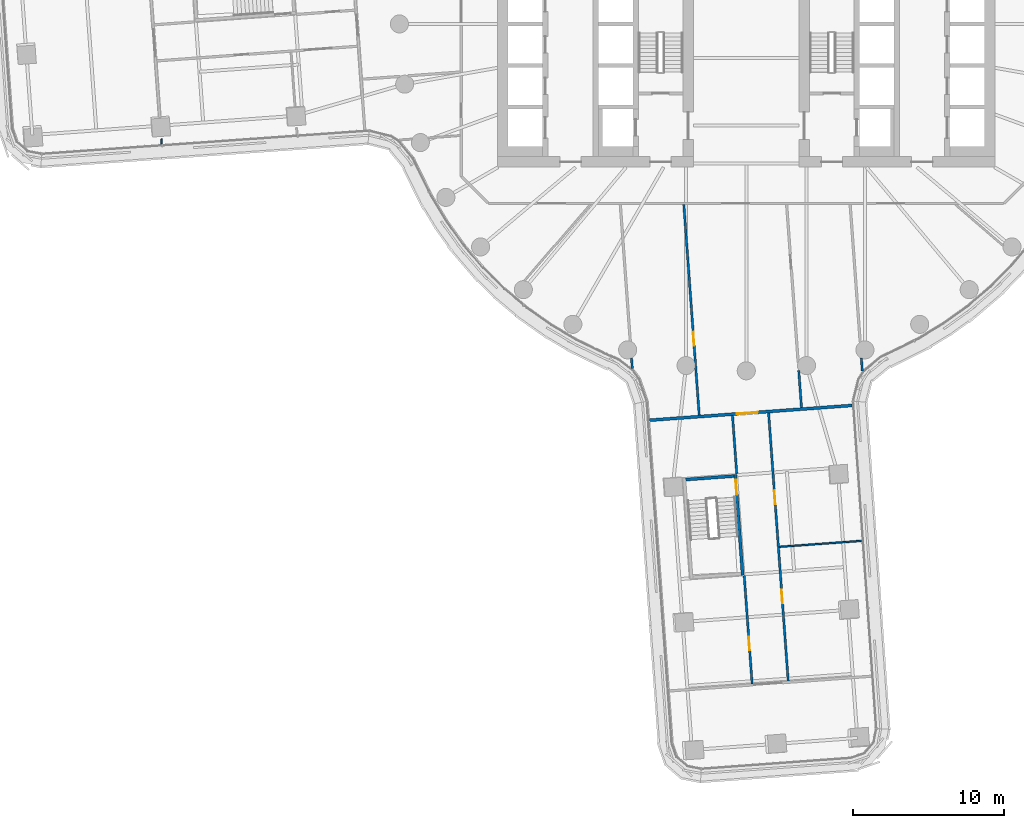
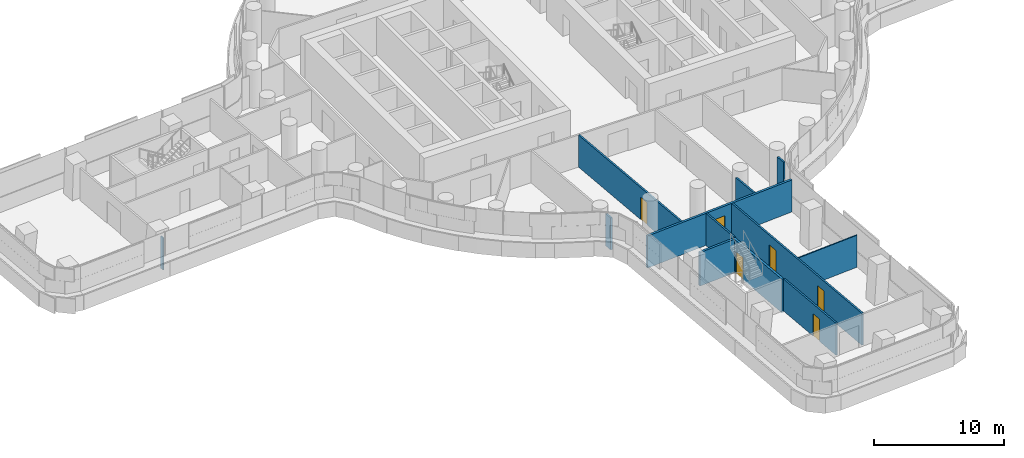
# One storey, part 19 of 31: 12 walls, 6 doors, 6 openings.
"""IFC4 building model written with IfcOpenShell, lengths in metres."""

from ifc_helpers import new_model, si_unit, direction, frame, frame_2d, origin, place, context, subcontext, project, spatial, rectangle, extrude, material, layer, layer_set, type_object, element, fill, save


model = new_model("IFC4")

# Units and contexts
model_context = context("Model", 3, precision=1e-05, world=origin(), true_north=direction((0.0, 1.0)))
body_context = subcontext(model_context, "Body", "Model", "MODEL_VIEW")
ifc_project = project(units=[si_unit("LENGTHUNIT", "METRE"), si_unit("AREAUNIT", "SQUARE_METRE"), si_unit("VOLUMEUNIT", "CUBIC_METRE"), si_unit("PLANEANGLEUNIT", "RADIAN"), si_unit("MASSUNIT", "GRAM", prefix="KILO")], contexts=[model_context])

# Site, building, storey
site_placement = place(None, origin())
site = spatial("IfcSite", under=ifc_project, at=site_placement, CompositionType="ELEMENT")
building_placement = place(site_placement, origin())
building = spatial("IfcBuilding", under=site, at=building_placement, Name="Tamarind Cross Interchange Tower", CompositionType="ELEMENT")
storey_placement = place(building_placement, frame((0.0, 0.0, 49.0)))
storey = spatial("IfcBuildingStorey", under=building, at=storey_placement, Name="L10", CompositionType="ELEMENT", Elevation=49.0)

# Walls
ifc_material_1 = material(Name="Gypsum board partition on steel studs", Category="steel")
ifc_layer_1 = layer(ifc_material_1, 0.10009765625)
ifc_layer_set_1 = layer_set([ifc_layer_1], Name="Gypsum board partition on steel studs")
wall_type_1 = type_object("IfcWallType", Name="Partition 100 mm EI 90", PredefinedType="PARTITIONING", material=ifc_layer_set_1)
wall_1_placement = place(storey_placement, frame((-38.788330078125, -7.628662109375, 0.0), z_axis=(0.0, 0.0, 1.0), x_axis=(0.072708373426, -0.997353243557, 0.0)))
element("IfcWall", 1, at=wall_1_placement, inside=storey, type_object=wall_type_1, Name="Partition L10-003", PredefinedType="PARTITIONING", context=body_context, shape_type="SweptSolid", body=[
    extrude(rectangle(XDim=0.33251953125, YDim=0.10009765625, at=frame_2d((0.166259765625, 0.0))), origin(), (0.0, 0.0, 1.0), 3.010009765625),
])
wall_2_placement = place(storey_placement, frame((2.19482421875, -34.67431640625, 0.0), z_axis=(0.0, 0.0, 1.0), x_axis=(0.997339353862, 0.07289865045, 0.0)))
element("IfcWall", 2, at=wall_2_placement, inside=storey, type_object=wall_type_1, Name="Partition L10-060", PredefinedType="PARTITIONING", context=body_context, shape_type="SweptSolid", body=[
    extrude(rectangle(XDim=5.46240234375, YDim=0.10009765625, at=frame_2d((2.731201171875, 0.0))), origin(), (0.0, 0.0, 1.0), 3.010009765625),
])
ifc_layer_2 = layer(ifc_material_1, 0.14990234375)
ifc_layer_set_2 = layer_set([ifc_layer_2], Name="Gypsum board partition on steel studs")
wall_type_2 = type_object("IfcWallType", Name="Partition 150 mm EI 120", PredefinedType="PARTITIONING", material=ifc_layer_set_2)
wall_3_placement = place(storey_placement, frame((-7.609375, -22.154052734375, 0.0), z_axis=(0.0, 0.0, 1.0), x_axis=(0.072804156196, -0.997346256242, 0.0)))
element("IfcWall", 3, at=wall_3_placement, inside=storey, type_object=wall_type_2, Name="Partition L10-010", PredefinedType="PARTITIONING", context=body_context, shape_type="SweptSolid", body=[
    extrude(rectangle(XDim=0.69091796875, YDim=0.14990234375, at=frame_2d((0.345458984375, 0.0))), origin(), (0.0, 0.0, 1.0), 3.010009765625),
])

# Wall, opening, door
wall_4_placement = place(storey_placement, frame((-4.142333984375, -11.96484375, 0.0), z_axis=(0.0, 0.0, 1.0), x_axis=(0.072880977725, -0.99734064546, 0.0)))
wall_4 = element("IfcWall", 4, at=wall_4_placement, inside=storey, type_object=wall_type_2, Name="Partition L10-012", PredefinedType="PARTITIONING", context=body_context, shape_type="SweptSolid", body=[
    extrude(rectangle(XDim=14.015869140625, YDim=0.14990234375, at=frame_2d((7.0078125, 0.0))), origin(), (0.0, 0.0, 1.0), 3.010009765625),
])
opening_1_placement = place(wall_4_placement, frame((8.485107421875, 0.0, 0.0)))
opening_1 = element("IfcOpeningElement", 5, at=opening_1_placement, cuts=wall_4, Name="Opening D03", PredefinedType="OPENING", context=body_context, shape_type="SweptSolid", body=[
    extrude(rectangle(XDim=0.89990234375, YDim=2.10009765625, at=frame_2d((0.449951171875, 1.050048828125))), frame((0.0, 0.0849609375, 0.0), z_axis=(0.0, -1.0, 0.0), x_axis=(1.0, 0.0, 0.0)), (0.0, 0.0, 1.0), 0.169921875),
])
ifc_material_2 = material(Name="Fire-resisting door set")
door_type_1 = type_object("IfcDoorType", Name="Interior door 900 x 2100 FD60S", OperationType="SINGLE_SWING_LEFT", PredefinedType="DOOR", material=ifc_material_2)
door_1_placement = place(opening_1_placement, frame((0.89990234375, 0.0, 0.0), z_axis=(0.0, 0.0, 1.0), x_axis=(-1.0, 0.0, 0.0)))
door_1 = element("IfcDoor", 6, at=door_1_placement, inside=storey, type_object=door_type_1, Name="Door D03", OperationType="SINGLE_SWING_RIGHT", OverallHeight=2.10009765625, OverallWidth=0.89990234375, PredefinedType="DOOR", context=body_context, shape_type="SweptSolid", body=[
    extrude(rectangle(XDim=0.89990234375, YDim=2.10009765625, at=frame_2d((0.449951171875, 1.050048828125))), frame((0.0, 0.02490234375, 0.0), z_axis=(0.0, -1.0, 0.0), x_axis=(1.0, 0.0, 0.0)), (0.0, 0.0, 1.0), 0.050048828125),
])
fill(opening_1, door_1)

# Wall
wall_5_placement = place(storey_placement, frame((-0.9130859375, -25.9716796875, 0.0), z_axis=(0.0, 0.0, 1.0), x_axis=(0.07294805783, -0.997335741292, 0.0)))
element("IfcWall", 7, at=wall_5_placement, inside=storey, type_object=wall_type_2, Name="Partition L10-016", PredefinedType="PARTITIONING", context=body_context, shape_type="SweptSolid", body=[
    extrude(rectangle(XDim=3.865478515625, YDim=0.14990234375, at=frame_2d((1.9326171875, 0.0))), origin(), (0.0, 0.0, 1.0), 3.010009765625),
])

# Wall, opening, door
wall_6_placement = place(storey_placement, frame((-0.13623046875, -36.588623046875, 0.0), z_axis=(0.0, 0.0, 1.0), x_axis=(0.07294103763, -0.997336254745, 0.0)))
wall_6 = element("IfcWall", 8, at=wall_6_placement, inside=storey, type_object=wall_type_2, Name="Partition L10-017", PredefinedType="PARTITIONING", context=body_context, shape_type="SweptSolid", body=[
    extrude(rectangle(XDim=7.189453125, YDim=0.14990234375, at=frame_2d((3.5947265625, 0.0))), origin(), (0.0, 0.0, 1.0), 3.010009765625),
])
opening_2_placement = place(wall_6_placement, frame((4.050048828125, 0.0, 0.0)))
opening_2 = element("IfcOpeningElement", 9, at=opening_2_placement, cuts=wall_6, Name="Opening D08", PredefinedType="OPENING", context=body_context, shape_type="SweptSolid", body=[
    extrude(rectangle(XDim=0.89990234375, YDim=2.10009765625, at=frame_2d((0.449951171875, 1.050048828125))), frame((0.0, 0.0849609375, 0.0), z_axis=(0.0, -1.0, 0.0), x_axis=(1.0, 0.0, 0.0)), (0.0, 0.0, 1.0), 0.169921875),
])
door_2_placement = place(opening_2_placement, frame((0.89990234375, 0.0, 0.0), z_axis=(0.0, 0.0, 1.0), x_axis=(-1.0, 0.0, 0.0)))
door_2 = element("IfcDoor", 10, at=door_2_placement, inside=storey, type_object=door_type_1, Name="Door D08", OperationType="SINGLE_SWING_RIGHT", OverallHeight=2.10009765625, OverallWidth=0.89990234375, PredefinedType="DOOR", context=body_context, shape_type="SweptSolid", body=[
    extrude(rectangle(XDim=0.89990234375, YDim=2.10009765625, at=frame_2d((0.449951171875, 1.050048828125))), frame((0.0, 0.02490234375, 0.0), z_axis=(0.0, -1.0, 0.0), x_axis=(1.0, 0.0, 0.0)), (0.0, 0.0, 1.0), 0.050048828125),
])
fill(opening_2, door_2)

# Wall, openings, doors
wall_7_placement = place(storey_placement, frame((1.48095703125, -25.796630859375, 0.0), z_axis=(0.0, 0.0, 1.0), x_axis=(0.072888965833, -0.997340061694, 0.0)))
wall_7 = element("IfcWall", 11, at=wall_7_placement, inside=storey, type_object=wall_type_2, Name="Partition L10-020", PredefinedType="PARTITIONING", context=body_context, shape_type="SweptSolid", body=[
    extrude(rectangle(XDim=17.8359375, YDim=0.14990234375, at=frame_2d((8.91796875, 0.0))), origin(), (0.0, 0.0, 1.0), 3.010009765625),
])
opening_3_placement = place(wall_7_placement, frame((5.155029296875, 0.0, 0.0)))
opening_3 = element("IfcOpeningElement", 12, at=opening_3_placement, cuts=wall_7, Name="Opening D11", PredefinedType="OPENING", context=body_context, shape_type="SweptSolid", body=[
    extrude(rectangle(XDim=0.89990234375, YDim=2.10009765625, at=frame_2d((0.449951171875, 1.050048828125))), frame((0.0, 0.0849609375, 0.0), z_axis=(0.0, -1.0, 0.0), x_axis=(1.0, 0.0, 0.0)), (0.0, 0.0, 1.0), 0.169921875),
])
opening_4_placement = place(wall_7_placement, frame((11.755859375, 0.0, 0.0)))
opening_4 = element("IfcOpeningElement", 13, at=opening_4_placement, cuts=wall_7, Name="Opening D12", PredefinedType="OPENING", context=body_context, shape_type="SweptSolid", body=[
    extrude(rectangle(XDim=0.89990234375, YDim=2.10009765625, at=frame_2d((0.449951171875, 1.050048828125))), frame((0.0, 0.0849609375, 0.0), z_axis=(0.0, -1.0, 0.0), x_axis=(1.0, 0.0, 0.0)), (0.0, 0.0, 1.0), 0.169921875),
])
door_3_placement = place(opening_3_placement, origin())
door_3 = element("IfcDoor", 14, at=door_3_placement, inside=storey, type_object=door_type_1, Name="Door D11", OperationType="SINGLE_SWING_RIGHT", OverallHeight=2.10009765625, OverallWidth=0.89990234375, PredefinedType="DOOR", context=body_context, shape_type="SweptSolid", body=[
    extrude(rectangle(XDim=0.89990234375, YDim=2.10009765625, at=frame_2d((0.449951171875, 1.050048828125))), frame((0.0, 0.02490234375, 0.0), z_axis=(0.0, -1.0, 0.0), x_axis=(1.0, 0.0, 0.0)), (0.0, 0.0, 1.0), 0.050048828125),
])
fill(opening_3, door_3)
door_4_placement = place(opening_4_placement, origin())
door_4 = element("IfcDoor", 15, at=door_4_placement, inside=storey, type_object=door_type_1, Name="Door D12", OperationType="SINGLE_SWING_LEFT", OverallHeight=2.10009765625, OverallWidth=0.89990234375, PredefinedType="DOOR", context=body_context, shape_type="SweptSolid", body=[
    extrude(rectangle(XDim=0.89990234375, YDim=2.10009765625, at=frame_2d((0.449951171875, 1.050048828125))), frame((0.0, 0.02490234375, 0.0), z_axis=(0.0, -1.0, 0.0), x_axis=(1.0, 0.0, 0.0)), (0.0, 0.0, 1.0), 0.050048828125),
])
fill(opening_4, door_4)

# Walls
wall_8_placement = place(storey_placement, frame((3.47998046875, -22.969970703125, 0.0), z_axis=(0.0, 0.0, 1.0), x_axis=(0.072930332307, -0.99733703763, 0.0)))
element("IfcWall", 16, at=wall_8_placement, inside=storey, type_object=wall_type_2, Name="Partition L10-022", PredefinedType="PARTITIONING", context=body_context, shape_type="SweptSolid", body=[
    extrude(rectangle(XDim=2.48388671875, YDim=0.14990234375, at=frame_2d((1.241943359375, 0.0))), origin(), (0.0, 0.0, 1.0), 3.010009765625),
])
wall_9_placement = place(storey_placement, frame((7.632080078125, -22.16015625, 0.0), z_axis=(0.0, 0.0, 1.0), x_axis=(0.072780226335, -0.997348002783, 0.0)))
element("IfcWall", 17, at=wall_9_placement, inside=storey, type_object=wall_type_2, Name="Partition L10-026", PredefinedType="PARTITIONING", context=body_context, shape_type="SweptSolid", body=[
    extrude(rectangle(XDim=0.8486328125, YDim=0.14990234375, at=frame_2d((0.42431640625, 0.0))), origin(), (0.0, 0.0, 1.0), 3.010009765625),
])

# Wall, opening, door
ifc_layer_3 = layer(ifc_material_1, 0.199951171875)
ifc_layer_set_3 = layer_set([ifc_layer_3], Name="Gypsum board partition on steel studs")
wall_type_3 = type_object("IfcWallType", Name="Partition 200 mm EI 180", PredefinedType="PARTITIONING", material=ifc_layer_set_3)
wall_10_placement = place(storey_placement, frame((-6.404296875, -26.27783203125, 0.0), z_axis=(0.0, 0.0, 1.0), x_axis=(0.9973396504, 0.072894593347, 0.0)))
wall_10 = element("IfcWall", 18, at=wall_10_placement, inside=storey, type_object=wall_type_3, Name="Partition L10-056", PredefinedType="PARTITIONING", context=body_context, shape_type="SweptSolid", body=[
    extrude(rectangle(XDim=13.447265625, YDim=0.199951171875, at=frame_2d((6.7236328125, 0.0))), origin(), (0.0, 0.0, 1.0), 3.010009765625),
])
opening_5_placement = place(wall_10_placement, frame((5.798828125, 0.0, 0.0)))
opening_5 = element("IfcOpeningElement", 19, at=opening_5_placement, cuts=wall_10, Name="Opening D31", PredefinedType="OPENING", context=body_context, shape_type="SweptSolid", body=[
    extrude(rectangle(XDim=1.39990234375, YDim=2.10009765625, at=frame_2d((0.699951171875, 1.050048828125))), frame((0.0, 0.10986328125, 0.0), z_axis=(0.0, -1.0, 0.0), x_axis=(1.0, 0.0, 0.0)), (0.0, 0.0, 1.0), 0.219970703125),
])
door_type_2 = type_object("IfcDoorType", Name="Interior door 1400 x 2100 FD120S", OperationType="DOUBLE_DOOR_SINGLE_SWING", PredefinedType="DOOR", material=ifc_material_2)
door_5_placement = place(opening_5_placement, origin())
door_5 = element("IfcDoor", 20, at=door_5_placement, inside=storey, type_object=door_type_2, Name="Door D31", OperationType="DOUBLE_DOOR_SINGLE_SWING", OverallHeight=2.10009765625, OverallWidth=1.39990234375, PredefinedType="DOOR", context=body_context, shape_type="SweptSolid", body=[
    extrude(rectangle(XDim=1.39990234375, YDim=2.10009765625, at=frame_2d((0.699951171875, 1.050048828125))), frame((0.0, 0.02490234375, 0.0), z_axis=(0.0, -1.0, 0.0), x_axis=(1.0, 0.0, 0.0)), (0.0, 0.0, 1.0), 0.050048828125),
])
fill(opening_5, door_5)

ifc_material_3 = material(Name="Concrete C40", Category="concrete")
ifc_layer_4 = layer(ifc_material_3, 0.199951171875)
ifc_layer_set_4 = layer_set([ifc_layer_4], Name="Concrete C40")
wall_type_4 = type_object("IfcWallType", Name="Stair shaft wall 200 mm Concrete C40", PredefinedType="SHEAR", material=ifc_layer_set_4)
wall_11_placement = place(storey_placement, frame((-0.72802734375, -29.8740234375, -0.139892578125), z_axis=(0.0, 0.0, 1.0), x_axis=(0.072878394899, -0.997340834197, 0.0)))
wall_11 = element("IfcWall", 21, at=wall_11_placement, inside=storey, type_object=wall_type_4, Name="Core wall CWL-L10-ST6-H", PredefinedType="SHEAR", context=body_context, shape_type="SweptSolid", body=[
    extrude(rectangle(XDim=6.699951171875, YDim=0.199951171875, at=frame_2d((3.35009765625, 0.0))), origin(), (0.0, 0.0, 1.0), 3.14990234375),
])
opening_6_placement = place(wall_11_placement, frame((0.35009765625, 0.0, 0.0)))
opening_6 = element("IfcOpeningElement", 22, at=opening_6_placement, cuts=wall_11, Name="Opening ST6L10", PredefinedType="OPENING", context=body_context, shape_type="SweptSolid", body=[
    extrude(rectangle(XDim=1.0, YDim=2.10009765625, at=frame_2d((0.5, 1.050048828125))), frame((0.0, 0.10986328125, 0.0), z_axis=(0.0, -1.0, 0.0), x_axis=(1.0, 0.0, 0.0)), (0.0, 0.0, 1.0), 0.219970703125),
])
ifc_material_4 = material(Name="Steel, fire-resisting", Category="steel")
door_type_3 = type_object("IfcDoorType", Name="Core fire door 1000 x 2100 FD90", OperationType="SINGLE_SWING_LEFT", PredefinedType="DOOR", material=ifc_material_4)
door_6_placement = place(opening_6_placement, origin())
door_6 = element("IfcDoor", 23, at=door_6_placement, inside=storey, type_object=door_type_3, Name="L10 stair door ST6", OperationType="SINGLE_SWING_LEFT", OverallHeight=2.10009765625, OverallWidth=1.0, PredefinedType="DOOR", context=body_context, shape_type="SweptSolid", body=[
    extrude(rectangle(XDim=1.0, YDim=2.10009765625, at=frame_2d((0.5, 1.050048828125))), frame((0.0, 0.02490234375, 0.0), z_axis=(0.0, -1.0, 0.0), x_axis=(1.0, 0.0, 0.0)), (0.0, 0.0, 1.0), 0.050048828125),
])
fill(opening_6, door_6)

# Wall
wall_12_placement = place(storey_placement, frame((-4.011962890625, -30.214111328125, -0.139892578125), z_axis=(0.0, 0.0, 1.0), x_axis=(0.997341978844, 0.072862728718, 0.0)))
element("IfcWall", 24, at=wall_12_placement, inside=storey, type_object=wall_type_4, Name="Core wall CWL-L10-ST6-CE", PredefinedType="SHEAR", context=body_context, shape_type="SweptSolid", body=[
    extrude(rectangle(XDim=3.199951171875, YDim=0.199951171875, at=frame_2d((1.60009765625, 0.0))), origin(), (0.0, 0.0, 1.0), 3.14990234375),
])

save(model, "model.ifc")
